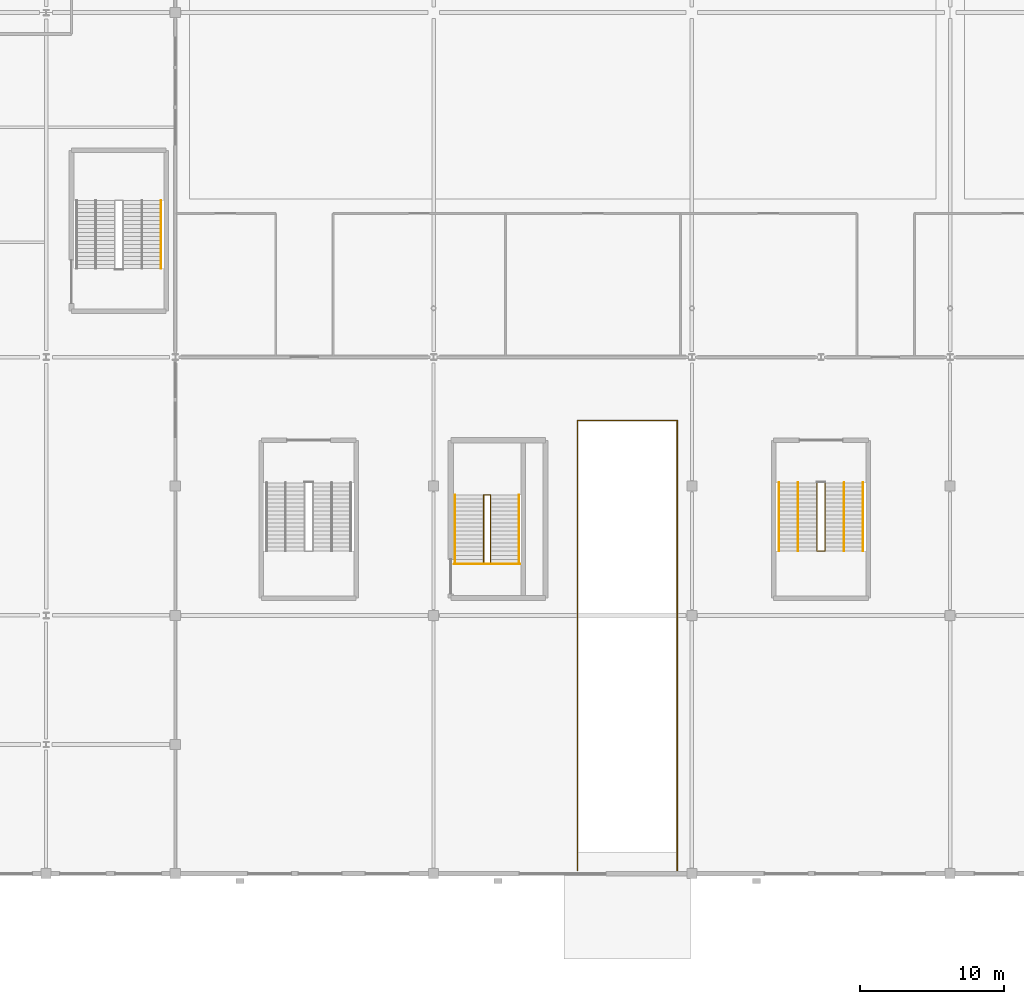
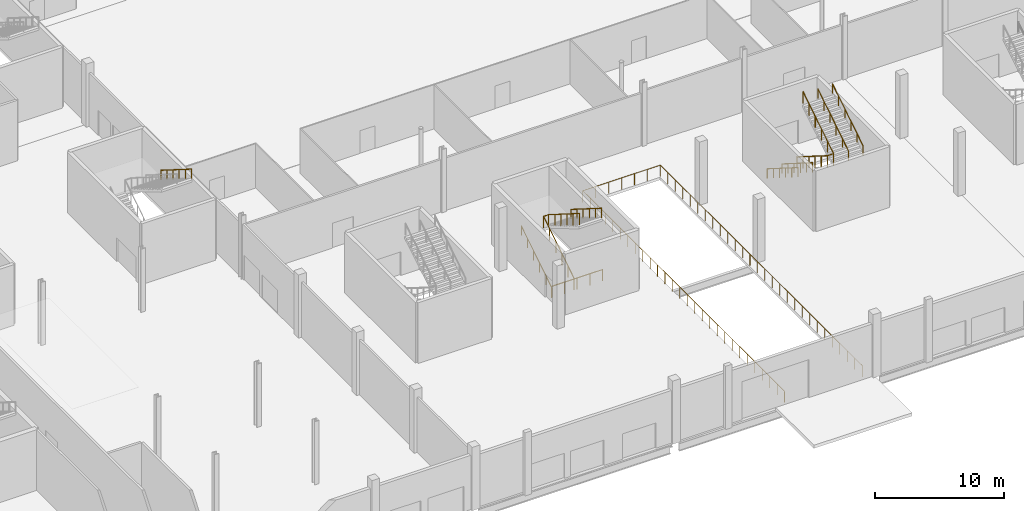
# One storey, part 70 of 84: 11 railings.
"""IFC4 building model written with IfcOpenShell, lengths in metres."""

from ifc_helpers import new_model, si_unit, direction, frame, origin, origin_2d, place, context, subcontext, project, spatial, circle, extrude, material, type_object, element, save


model = new_model("IFC4")

# Units and contexts
model_context = context("Model", 3, precision=1e-05, world=origin(), true_north=direction((0.0, 1.0)))
body_context = subcontext(model_context, "Body", "Model", "MODEL_VIEW")
ifc_project = project(units=[si_unit("LENGTHUNIT", "METRE"), si_unit("AREAUNIT", "SQUARE_METRE"), si_unit("VOLUMEUNIT", "CUBIC_METRE"), si_unit("PLANEANGLEUNIT", "RADIAN"), si_unit("MASSUNIT", "GRAM", prefix="KILO")], contexts=[model_context])

# Site, building, storey
site_placement = place(None, origin())
site = spatial("IfcSite", under=ifc_project, at=site_placement, CompositionType="ELEMENT")
building_placement = place(site_placement, origin())
building = spatial("IfcBuilding", under=site, at=building_placement, Name="Kisiwana Market Hall", CompositionType="ELEMENT")
storey_placement = place(building_placement, origin())
storey = spatial("IfcBuildingStorey", under=building, at=storey_placement, Name="L00", CompositionType="ELEMENT", Elevation=0.0)

# Railings
ifc_material_1 = material(Name="Steel S275", Category="steel")
railing_type_1 = type_object("IfcRailingType", Name="RL-GUARD-1100", PredefinedType="GUARDRAIL", material=ifc_material_1)
railing_1_placement = place(storey_placement, frame((73.02001953125, 0.219970703125, 0.0)))
element("IfcRailing", 1, at=railing_1_placement, inside=storey, type_object=railing_type_1, Name="L00 Vehicle Ramp Well Perimeter Guardrail 1100 RL-1693", PredefinedType="GUARDRAIL", context=body_context, shape_type="SweptSolid", body=[
    extrude(circle(Radius=0.02392578125, at=origin_2d()), frame((0.0, 0.0, 1.076171875), z_axis=(0.0, 1.0, 0.0), x_axis=(-1.0, 0.0, 0.0)), (0.0, 0.0, 1.0), 31.360107421875),
    extrude(circle(Radius=0.02392578125, at=origin_2d()), frame((0.0, 31.360107421875, 1.076171875), z_axis=(1.0, 0.0, 0.0), x_axis=(0.0, 1.0, 0.0)), (0.0, 0.0, 1.0), 6.9599609375),
    extrude(circle(Radius=0.02392578125, at=origin_2d()), frame((6.9599609375, 31.360107421875, 1.076171875), z_axis=(0.0, -1.0, 0.0), x_axis=(1.0, 0.0, 0.0)), (0.0, 0.0, 1.0), 31.360107421875),
    extrude(circle(Radius=0.02099609375, at=origin_2d()), origin(), (0.0, 0.0, 1.0), 1.052001953125),
    extrude(circle(Radius=0.02099609375, at=origin_2d()), frame((0.0, 1.161376953125, 0.0)), (0.0, 0.0, 1.0), 1.052001953125),
    extrude(circle(Radius=0.02099609375, at=origin_2d()), frame((0.0, 2.322998046875, 0.0)), (0.0, 0.0, 1.0), 1.052001953125),
    extrude(circle(Radius=0.02099609375, at=origin_2d()), frame((0.0, 3.484375, 0.0)), (0.0, 0.0, 1.0), 1.052001953125),
    extrude(circle(Radius=0.02099609375, at=origin_2d()), frame((0.0, 4.64599609375, 0.0)), (0.0, 0.0, 1.0), 1.052001953125),
    extrude(circle(Radius=0.02099609375, at=origin_2d()), frame((0.0, 5.807373046875, 0.0)), (0.0, 0.0, 1.0), 1.052001953125),
    extrude(circle(Radius=0.02099609375, at=origin_2d()), frame((0.0, 6.968994140625, 0.0)), (0.0, 0.0, 1.0), 1.052001953125),
    extrude(circle(Radius=0.02099609375, at=origin_2d()), frame((0.0, 8.13037109375, 0.0)), (0.0, 0.0, 1.0), 1.052001953125),
    extrude(circle(Radius=0.02099609375, at=origin_2d()), frame((0.0, 9.2919921875, 0.0)), (0.0, 0.0, 1.0), 1.052001953125),
    extrude(circle(Radius=0.02099609375, at=origin_2d()), frame((0.0, 10.453369140625, 0.0)), (0.0, 0.0, 1.0), 1.052001953125),
    extrude(circle(Radius=0.02099609375, at=origin_2d()), frame((0.0, 11.61474609375, 0.0)), (0.0, 0.0, 1.0), 1.052001953125),
    extrude(circle(Radius=0.02099609375, at=origin_2d()), frame((0.0, 12.7763671875, 0.0)), (0.0, 0.0, 1.0), 1.052001953125),
    extrude(circle(Radius=0.02099609375, at=origin_2d()), frame((0.0, 13.937744140625, 0.0)), (0.0, 0.0, 1.0), 1.052001953125),
    extrude(circle(Radius=0.02099609375, at=origin_2d()), frame((0.0, 15.099365234375, 0.0)), (0.0, 0.0, 1.0), 1.052001953125),
    extrude(circle(Radius=0.02099609375, at=origin_2d()), frame((0.0, 16.2607421875, 0.0)), (0.0, 0.0, 1.0), 1.052001953125),
    extrude(circle(Radius=0.02099609375, at=origin_2d()), frame((0.0, 17.42236328125, 0.0)), (0.0, 0.0, 1.0), 1.052001953125),
    extrude(circle(Radius=0.02099609375, at=origin_2d()), frame((0.0, 18.583740234375, 0.0)), (0.0, 0.0, 1.0), 1.052001953125),
    extrude(circle(Radius=0.02099609375, at=origin_2d()), frame((0.0, 19.745361328125, 0.0)), (0.0, 0.0, 1.0), 1.052001953125),
    extrude(circle(Radius=0.02099609375, at=origin_2d()), frame((0.0, 20.90673828125, 0.0)), (0.0, 0.0, 1.0), 1.052001953125),
    extrude(circle(Radius=0.02099609375, at=origin_2d()), frame((0.0, 22.068115234375, 0.0)), (0.0, 0.0, 1.0), 1.052001953125),
    extrude(circle(Radius=0.02099609375, at=origin_2d()), frame((0.0, 23.229736328125, 0.0)), (0.0, 0.0, 1.0), 1.052001953125),
    extrude(circle(Radius=0.02099609375, at=origin_2d()), frame((0.0, 24.39111328125, 0.0)), (0.0, 0.0, 1.0), 1.052001953125),
    extrude(circle(Radius=0.02099609375, at=origin_2d()), frame((0.0, 25.552734375, 0.0)), (0.0, 0.0, 1.0), 1.052001953125),
    extrude(circle(Radius=0.02099609375, at=origin_2d()), frame((0.0, 26.714111328125, 0.0)), (0.0, 0.0, 1.0), 1.052001953125),
    extrude(circle(Radius=0.02099609375, at=origin_2d()), frame((0.0, 27.875732421875, 0.0)), (0.0, 0.0, 1.0), 1.052001953125),
    extrude(circle(Radius=0.02099609375, at=origin_2d()), frame((0.0, 29.037109375, 0.0)), (0.0, 0.0, 1.0), 1.052001953125),
    extrude(circle(Radius=0.02099609375, at=origin_2d()), frame((0.0, 30.19873046875, 0.0)), (0.0, 0.0, 1.0), 1.052001953125),
    extrude(circle(Radius=0.02099609375, at=origin_2d()), frame((0.0, 31.360107421875, 0.0)), (0.0, 0.0, 1.0), 1.052001953125),
    extrude(circle(Radius=0.02099609375, at=origin_2d()), frame((1.159912109375, 31.360107421875, 0.0)), (0.0, 0.0, 1.0), 1.052001953125),
    extrude(circle(Radius=0.02099609375, at=origin_2d()), frame((2.320068359375, 31.360107421875, 0.0)), (0.0, 0.0, 1.0), 1.052001953125),
    extrude(circle(Radius=0.02099609375, at=origin_2d()), frame((3.47998046875, 31.360107421875, 0.0)), (0.0, 0.0, 1.0), 1.052001953125),
    extrude(circle(Radius=0.02099609375, at=origin_2d()), frame((4.639892578125, 31.360107421875, 0.0)), (0.0, 0.0, 1.0), 1.052001953125),
    extrude(circle(Radius=0.02099609375, at=origin_2d()), frame((5.800048828125, 31.360107421875, 0.0)), (0.0, 0.0, 1.0), 1.052001953125),
    extrude(circle(Radius=0.02099609375, at=origin_2d()), frame((6.9599609375, 31.360107421875, 0.0)), (0.0, 0.0, 1.0), 1.052001953125),
    extrude(circle(Radius=0.02099609375, at=origin_2d()), frame((6.9599609375, 30.19873046875, 0.0)), (0.0, 0.0, 1.0), 1.052001953125),
    extrude(circle(Radius=0.02099609375, at=origin_2d()), frame((6.9599609375, 29.037109375, 0.0)), (0.0, 0.0, 1.0), 1.052001953125),
    extrude(circle(Radius=0.02099609375, at=origin_2d()), frame((6.9599609375, 27.875732421875, 0.0)), (0.0, 0.0, 1.0), 1.052001953125),
    extrude(circle(Radius=0.02099609375, at=origin_2d()), frame((6.9599609375, 26.714111328125, 0.0)), (0.0, 0.0, 1.0), 1.052001953125),
    extrude(circle(Radius=0.02099609375, at=origin_2d()), frame((6.9599609375, 25.552734375, 0.0)), (0.0, 0.0, 1.0), 1.052001953125),
    extrude(circle(Radius=0.02099609375, at=origin_2d()), frame((6.9599609375, 24.39111328125, 0.0)), (0.0, 0.0, 1.0), 1.052001953125),
    extrude(circle(Radius=0.02099609375, at=origin_2d()), frame((6.9599609375, 23.229736328125, 0.0)), (0.0, 0.0, 1.0), 1.052001953125),
    extrude(circle(Radius=0.02099609375, at=origin_2d()), frame((6.9599609375, 22.068115234375, 0.0)), (0.0, 0.0, 1.0), 1.052001953125),
    extrude(circle(Radius=0.02099609375, at=origin_2d()), frame((6.9599609375, 20.90673828125, 0.0)), (0.0, 0.0, 1.0), 1.052001953125),
    extrude(circle(Radius=0.02099609375, at=origin_2d()), frame((6.9599609375, 19.745361328125, 0.0)), (0.0, 0.0, 1.0), 1.052001953125),
    extrude(circle(Radius=0.02099609375, at=origin_2d()), frame((6.9599609375, 18.583740234375, 0.0)), (0.0, 0.0, 1.0), 1.052001953125),
    extrude(circle(Radius=0.02099609375, at=origin_2d()), frame((6.9599609375, 17.42236328125, 0.0)), (0.0, 0.0, 1.0), 1.052001953125),
    extrude(circle(Radius=0.02099609375, at=origin_2d()), frame((6.9599609375, 16.2607421875, 0.0)), (0.0, 0.0, 1.0), 1.052001953125),
    extrude(circle(Radius=0.02099609375, at=origin_2d()), frame((6.9599609375, 15.099365234375, 0.0)), (0.0, 0.0, 1.0), 1.052001953125),
    extrude(circle(Radius=0.02099609375, at=origin_2d()), frame((6.9599609375, 13.937744140625, 0.0)), (0.0, 0.0, 1.0), 1.052001953125),
    extrude(circle(Radius=0.02099609375, at=origin_2d()), frame((6.9599609375, 12.7763671875, 0.0)), (0.0, 0.0, 1.0), 1.052001953125),
    extrude(circle(Radius=0.02099609375, at=origin_2d()), frame((6.9599609375, 11.61474609375, 0.0)), (0.0, 0.0, 1.0), 1.052001953125),
    extrude(circle(Radius=0.02099609375, at=origin_2d()), frame((6.9599609375, 10.453369140625, 0.0)), (0.0, 0.0, 1.0), 1.052001953125),
    extrude(circle(Radius=0.02099609375, at=origin_2d()), frame((6.9599609375, 9.2919921875, 0.0)), (0.0, 0.0, 1.0), 1.052001953125),
    extrude(circle(Radius=0.02099609375, at=origin_2d()), frame((6.9599609375, 8.13037109375, 0.0)), (0.0, 0.0, 1.0), 1.052001953125),
    extrude(circle(Radius=0.02099609375, at=origin_2d()), frame((6.9599609375, 6.968994140625, 0.0)), (0.0, 0.0, 1.0), 1.052001953125),
    extrude(circle(Radius=0.02099609375, at=origin_2d()), frame((6.9599609375, 5.807373046875, 0.0)), (0.0, 0.0, 1.0), 1.052001953125),
    extrude(circle(Radius=0.02099609375, at=origin_2d()), frame((6.9599609375, 4.64599609375, 0.0)), (0.0, 0.0, 1.0), 1.052001953125),
    extrude(circle(Radius=0.02099609375, at=origin_2d()), frame((6.9599609375, 3.484375, 0.0)), (0.0, 0.0, 1.0), 1.052001953125),
    extrude(circle(Radius=0.02099609375, at=origin_2d()), frame((6.9599609375, 2.322998046875, 0.0)), (0.0, 0.0, 1.0), 1.052001953125),
    extrude(circle(Radius=0.02099609375, at=origin_2d()), frame((6.9599609375, 1.161376953125, 0.0)), (0.0, 0.0, 1.0), 1.052001953125),
    extrude(circle(Radius=0.02099609375, at=origin_2d()), frame((6.9599609375, 0.0, 0.0)), (0.0, 0.0, 1.0), 1.052001953125),
])
railing_2_placement = place(storey_placement, frame((66.5, 21.62939453125, 0.0)))
element("IfcRailing", 2, at=railing_2_placement, inside=storey, type_object=railing_type_1, Name="Stair ST-S1-L00 inner-well guardrail (RL-163)", PredefinedType="GUARDRAIL", context=body_context, shape_type="SweptSolid", body=[
    extrude(circle(Radius=0.02392578125, at=origin_2d()), frame((0.0, 0.0, 1.076171875), z_axis=(0.0, 0.845995810448, 0.533189542944), x_axis=(-1.0, 0.0, 0.0)), (0.0, 0.0, 1.0), 5.62646484375),
    extrude(circle(Radius=0.02392578125, at=origin_2d()), frame((0.0, 4.760009765625, 4.076171875), z_axis=(1.0, 0.0, 0.0), x_axis=(0.0, 1.0, 0.0)), (0.0, 0.0, 1.0), 0.4599609375),
    extrude(circle(Radius=0.02392578125, at=origin_2d()), frame((0.4599609375, 4.760009765625, 4.076171875), z_axis=(0.0, -0.845995810448, 0.533189542944), x_axis=(1.0, 0.0, 0.0)), (0.0, 0.0, 1.0), 5.62646484375),
    extrude(circle(Radius=0.02099609375, at=origin_2d()), origin(), (0.0, 0.0, 1.0), 1.052001953125),
    extrude(circle(Radius=0.02099609375, at=origin_2d()), frame((0.0, 0.951904296875, 0.60009765625)), (0.0, 0.0, 1.0), 1.052001953125),
    extrude(circle(Radius=0.02099609375, at=origin_2d()), frame((0.0, 1.904052734375, 1.199951171875)), (0.0, 0.0, 1.0), 1.052001953125),
    extrude(circle(Radius=0.02099609375, at=origin_2d()), frame((0.0, 2.85595703125, 1.800048828125)), (0.0, 0.0, 1.0), 1.052001953125),
    extrude(circle(Radius=0.02099609375, at=origin_2d()), frame((0.0, 3.80810546875, 2.39990234375)), (0.0, 0.0, 1.0), 1.052001953125),
    extrude(circle(Radius=0.02099609375, at=origin_2d()), frame((0.0, 4.760009765625, 3.0)), (0.0, 0.0, 1.0), 1.052001953125),
    extrude(circle(Radius=0.02099609375, at=origin_2d()), frame((0.4599609375, 4.760009765625, 3.0)), (0.0, 0.0, 1.0), 1.052001953125),
    extrude(circle(Radius=0.02099609375, at=origin_2d()), frame((0.4599609375, 3.80810546875, 3.60009765625)), (0.0, 0.0, 1.0), 1.052001953125),
    extrude(circle(Radius=0.02099609375, at=origin_2d()), frame((0.4599609375, 2.85595703125, 4.199951171875)), (0.0, 0.0, 1.0), 1.052001953125),
    extrude(circle(Radius=0.02099609375, at=origin_2d()), frame((0.4599609375, 1.904052734375, 4.800048828125)), (0.0, 0.0, 1.0), 1.052001953125),
    extrude(circle(Radius=0.02099609375, at=origin_2d()), frame((0.4599609375, 0.951904296875, 5.39990234375)), (0.0, 0.0, 1.0), 1.052001953125),
    extrude(circle(Radius=0.02099609375, at=origin_2d()), frame((0.4599609375, 0.0, 6.0)), (0.0, 0.0, 1.0), 1.052001953125),
])
railing_3_placement = place(storey_placement, frame((64.43994140625, 21.569580078125, 0.0)))
element("IfcRailing", 3, at=railing_3_placement, inside=storey, type_object=railing_type_1, Name="Stair ST-S1-L00 landing edge guardrail (RL-166)", PredefinedType="GUARDRAIL", context=body_context, shape_type="SweptSolid", body=[
    extrude(circle(Radius=0.02392578125, at=origin_2d()), frame((0.0, 0.0, 1.076171875), z_axis=(1.0, 0.0, 0.0), x_axis=(0.0, 1.0, 0.0)), (0.0, 0.0, 1.0), 4.580078125),
    extrude(circle(Radius=0.02099609375, at=origin_2d()), origin(), (0.0, 0.0, 1.0), 1.052001953125),
    extrude(circle(Radius=0.02099609375, at=origin_2d()), frame((1.14501953125, 0.0, 0.0)), (0.0, 0.0, 1.0), 1.052001953125),
    extrude(circle(Radius=0.02099609375, at=origin_2d()), frame((2.2900390625, 0.0, 0.0)), (0.0, 0.0, 1.0), 1.052001953125),
    extrude(circle(Radius=0.02099609375, at=origin_2d()), frame((3.43505859375, 0.0, 0.0)), (0.0, 0.0, 1.0), 1.052001953125),
    extrude(circle(Radius=0.02099609375, at=origin_2d()), frame((4.580078125, 0.0, 0.0)), (0.0, 0.0, 1.0), 1.052001953125),
])
railing_4_placement = place(storey_placement, frame((89.719970703125, 27.239990234375, 0.0)))
element("IfcRailing", 4, at=railing_4_placement, inside=storey, type_object=railing_type_1, Name="Stair ST-S4-L00 inner-well guardrail (RL-275)", PredefinedType="GUARDRAIL", context=body_context, shape_type="SweptSolid", body=[
    extrude(circle(Radius=0.02392578125, at=origin_2d()), frame((0.0, 0.0, 1.076171875), z_axis=(0.0, -0.845995810448, 0.533189542944), x_axis=(1.0, 0.0, 0.0)), (0.0, 0.0, 1.0), 5.62646484375),
    extrude(circle(Radius=0.02392578125, at=origin_2d()), frame((0.0, -4.760009765625, 4.076171875), z_axis=(1.0, 0.0, 0.0), x_axis=(0.0, 1.0, 0.0)), (0.0, 0.0, 1.0), 0.56005859375),
    extrude(circle(Radius=0.02392578125, at=origin_2d()), frame((0.56005859375, -4.760009765625, 4.076171875), z_axis=(0.0, 0.845995810448, 0.533189542944), x_axis=(-1.0, 0.0, 0.0)), (0.0, 0.0, 1.0), 5.62646484375),
    extrude(circle(Radius=0.02099609375, at=origin_2d()), origin(), (0.0, 0.0, 1.0), 1.052001953125),
    extrude(circle(Radius=0.02099609375, at=origin_2d()), frame((0.0, -0.951904296875, 0.60009765625)), (0.0, 0.0, 1.0), 1.052001953125),
    extrude(circle(Radius=0.02099609375, at=origin_2d()), frame((0.0, -1.904052734375, 1.199951171875)), (0.0, 0.0, 1.0), 1.052001953125),
    extrude(circle(Radius=0.02099609375, at=origin_2d()), frame((0.0, -2.85595703125, 1.800048828125)), (0.0, 0.0, 1.0), 1.052001953125),
    extrude(circle(Radius=0.02099609375, at=origin_2d()), frame((0.0, -3.80810546875, 2.39990234375)), (0.0, 0.0, 1.0), 1.052001953125),
    extrude(circle(Radius=0.02099609375, at=origin_2d()), frame((0.0, -4.760009765625, 3.0)), (0.0, 0.0, 1.0), 1.052001953125),
    extrude(circle(Radius=0.02099609375, at=origin_2d()), frame((0.56005859375, -4.760009765625, 3.0)), (0.0, 0.0, 1.0), 1.052001953125),
    extrude(circle(Radius=0.02099609375, at=origin_2d()), frame((0.56005859375, -3.80810546875, 3.60009765625)), (0.0, 0.0, 1.0), 1.052001953125),
    extrude(circle(Radius=0.02099609375, at=origin_2d()), frame((0.56005859375, -2.85595703125, 4.199951171875)), (0.0, 0.0, 1.0), 1.052001953125),
    extrude(circle(Radius=0.02099609375, at=origin_2d()), frame((0.56005859375, -1.904052734375, 4.800048828125)), (0.0, 0.0, 1.0), 1.052001953125),
    extrude(circle(Radius=0.02099609375, at=origin_2d()), frame((0.56005859375, -0.951904296875, 5.39990234375)), (0.0, 0.0, 1.0), 1.052001953125),
    extrude(circle(Radius=0.02099609375, at=origin_2d()), frame((0.56005859375, 0.0, 6.0)), (0.0, 0.0, 1.0), 1.052001953125),
])
ifc_material_2 = material(Name="Steel S275", Category="steel")
railing_type_2 = type_object("IfcRailingType", Name="RL-HAND-900", PredefinedType="HANDRAIL", material=ifc_material_2)
railing_5_placement = place(storey_placement, frame((64.5, 21.62939453125, 0.0)))
element("IfcRailing", 5, at=railing_5_placement, inside=storey, type_object=railing_type_2, Name="Stair ST-S1-L00 flight 1 handrail (RL-164)", PredefinedType="HANDRAIL", context=body_context, shape_type="SweptSolid", body=[
    extrude(circle(Radius=0.02392578125, at=origin_2d()), frame((0.0, 0.0, 0.8759765625), z_axis=(0.0, 0.845995810448, 0.533189542944), x_axis=(-1.0, 0.0, 0.0)), (0.0, 0.0, 1.0), 5.62646484375),
    extrude(circle(Radius=0.02099609375, at=origin_2d()), origin(), (0.0, 0.0, 1.0), 0.851806640625),
    extrude(circle(Radius=0.02099609375, at=origin_2d()), frame((0.0, 0.951904296875, 0.60009765625)), (0.0, 0.0, 1.0), 0.851806640625),
    extrude(circle(Radius=0.02099609375, at=origin_2d()), frame((0.0, 1.904052734375, 1.199951171875)), (0.0, 0.0, 1.0), 0.851806640625),
    extrude(circle(Radius=0.02099609375, at=origin_2d()), frame((0.0, 2.85595703125, 1.800048828125)), (0.0, 0.0, 1.0), 0.851806640625),
    extrude(circle(Radius=0.02099609375, at=origin_2d()), frame((0.0, 3.80810546875, 2.39990234375)), (0.0, 0.0, 1.0), 0.851806640625),
    extrude(circle(Radius=0.02099609375, at=origin_2d()), frame((0.0, 4.760009765625, 3.0)), (0.0, 0.0, 1.0), 0.851806640625),
])
for number, where, name in (
    (6, (68.9599609375, 26.389404296875, 3.0), "Stair ST-S1-L00 flight 2 handrail (RL-165)"),
    (7, (44.0, 46.919921875, 3.0), "Stair ST-W9-L00 flight 2 handrail (RL-229)"),
    (8, (87.070068359375, 27.239990234375, 0.0), "Stair ST-S4-L00 flight 1 handrail (RL-276)"),
):
    element("IfcRailing", number, at=place(storey_placement, frame(where)), inside=storey, type_object=railing_type_2, Name=name, PredefinedType="HANDRAIL", context=body_context, shape_type="SweptSolid", body=[
        extrude(circle(Radius=0.02392578125, at=origin_2d()), frame((0.0, 0.0, 0.8759765625), z_axis=(0.0, -0.845995810448, 0.533189542944), x_axis=(1.0, 0.0, 0.0)), (0.0, 0.0, 1.0), 5.62646484375),
        extrude(circle(Radius=0.02099609375, at=origin_2d()), origin(), (0.0, 0.0, 1.0), 0.851806640625),
        extrude(circle(Radius=0.02099609375, at=origin_2d()), frame((0.0, -0.951904296875, 0.60009765625)), (0.0, 0.0, 1.0), 0.851806640625),
        extrude(circle(Radius=0.02099609375, at=origin_2d()), frame((0.0, -1.904052734375, 1.199951171875)), (0.0, 0.0, 1.0), 0.851806640625),
        extrude(circle(Radius=0.02099609375, at=origin_2d()), frame((0.0, -2.85595703125, 1.800048828125)), (0.0, 0.0, 1.0), 0.851806640625),
        extrude(circle(Radius=0.02099609375, at=origin_2d()), frame((0.0, -3.80810546875, 2.39990234375)), (0.0, 0.0, 1.0), 0.851806640625),
        extrude(circle(Radius=0.02099609375, at=origin_2d()), frame((0.0, -4.760009765625, 3.0)), (0.0, 0.0, 1.0), 0.851806640625),
    ])
railing_6_placement = place(storey_placement, frame((92.929931640625, 22.47998046875, 3.0)))
element("IfcRailing", 9, at=railing_6_placement, inside=storey, type_object=railing_type_2, Name="Stair ST-S4-L00 flight 2 handrail (RL-277)", PredefinedType="HANDRAIL", context=body_context, shape_type="SweptSolid", body=[
    extrude(circle(Radius=0.02392578125, at=origin_2d()), frame((0.0, 0.0, 0.8759765625), z_axis=(0.0, 0.845995810448, 0.533189542944), x_axis=(-1.0, 0.0, 0.0)), (0.0, 0.0, 1.0), 5.62646484375),
    extrude(circle(Radius=0.02099609375, at=origin_2d()), origin(), (0.0, 0.0, 1.0), 0.851806640625),
    extrude(circle(Radius=0.02099609375, at=origin_2d()), frame((0.0, 0.951904296875, 0.60009765625)), (0.0, 0.0, 1.0), 0.851806640625),
    extrude(circle(Radius=0.02099609375, at=origin_2d()), frame((0.0, 1.904052734375, 1.199951171875)), (0.0, 0.0, 1.0), 0.851806640625),
    extrude(circle(Radius=0.02099609375, at=origin_2d()), frame((0.0, 2.85595703125, 1.800048828125)), (0.0, 0.0, 1.0), 0.851806640625),
    extrude(circle(Radius=0.02099609375, at=origin_2d()), frame((0.0, 3.80810546875, 2.39990234375)), (0.0, 0.0, 1.0), 0.851806640625),
    extrude(circle(Radius=0.02099609375, at=origin_2d()), frame((0.0, 4.760009765625, 3.0)), (0.0, 0.0, 1.0), 0.851806640625),
])
railing_7_placement = place(storey_placement, frame((88.389892578125, 27.239990234375, 0.0)))
element("IfcRailing", 10, at=railing_7_placement, inside=storey, type_object=railing_type_2, Name="Stair ST-S4-L00 flight 1 intermediate handrail (RL-278)", PredefinedType="HANDRAIL", context=body_context, shape_type="SweptSolid", body=[
    extrude(circle(Radius=0.02392578125, at=origin_2d()), frame((0.0, 0.0, 0.8759765625), z_axis=(0.0, -0.845995810448, 0.533189542944), x_axis=(1.0, 0.0, 0.0)), (0.0, 0.0, 1.0), 5.62646484375),
    extrude(circle(Radius=0.02099609375, at=origin_2d()), origin(), (0.0, 0.0, 1.0), 0.851806640625),
    extrude(circle(Radius=0.02099609375, at=origin_2d()), frame((0.0, -0.951904296875, 0.60009765625)), (0.0, 0.0, 1.0), 0.851806640625),
    extrude(circle(Radius=0.02099609375, at=origin_2d()), frame((0.0, -1.904052734375, 1.199951171875)), (0.0, 0.0, 1.0), 0.851806640625),
    extrude(circle(Radius=0.02099609375, at=origin_2d()), frame((0.0, -2.85595703125, 1.800048828125)), (0.0, 0.0, 1.0), 0.851806640625),
    extrude(circle(Radius=0.02099609375, at=origin_2d()), frame((0.0, -3.80810546875, 2.39990234375)), (0.0, 0.0, 1.0), 0.851806640625),
    extrude(circle(Radius=0.02099609375, at=origin_2d()), frame((0.0, -4.760009765625, 3.0)), (0.0, 0.0, 1.0), 0.851806640625),
])
railing_8_placement = place(storey_placement, frame((91.610107421875, 22.47998046875, 3.0)))
element("IfcRailing", 11, at=railing_8_placement, inside=storey, type_object=railing_type_2, Name="Stair ST-S4-L00 flight 2 intermediate handrail (RL-279)", PredefinedType="HANDRAIL", context=body_context, shape_type="SweptSolid", body=[
    extrude(circle(Radius=0.02392578125, at=origin_2d()), frame((0.0, 0.0, 0.8759765625), z_axis=(0.0, 0.845995810448, 0.533189542944), x_axis=(-1.0, 0.0, 0.0)), (0.0, 0.0, 1.0), 5.62646484375),
    extrude(circle(Radius=0.02099609375, at=origin_2d()), origin(), (0.0, 0.0, 1.0), 0.851806640625),
    extrude(circle(Radius=0.02099609375, at=origin_2d()), frame((0.0, 0.951904296875, 0.60009765625)), (0.0, 0.0, 1.0), 0.851806640625),
    extrude(circle(Radius=0.02099609375, at=origin_2d()), frame((0.0, 1.904052734375, 1.199951171875)), (0.0, 0.0, 1.0), 0.851806640625),
    extrude(circle(Radius=0.02099609375, at=origin_2d()), frame((0.0, 2.85595703125, 1.800048828125)), (0.0, 0.0, 1.0), 0.851806640625),
    extrude(circle(Radius=0.02099609375, at=origin_2d()), frame((0.0, 3.80810546875, 2.39990234375)), (0.0, 0.0, 1.0), 0.851806640625),
    extrude(circle(Radius=0.02099609375, at=origin_2d()), frame((0.0, 4.760009765625, 3.0)), (0.0, 0.0, 1.0), 0.851806640625),
])

save(model, "model.ifc")
